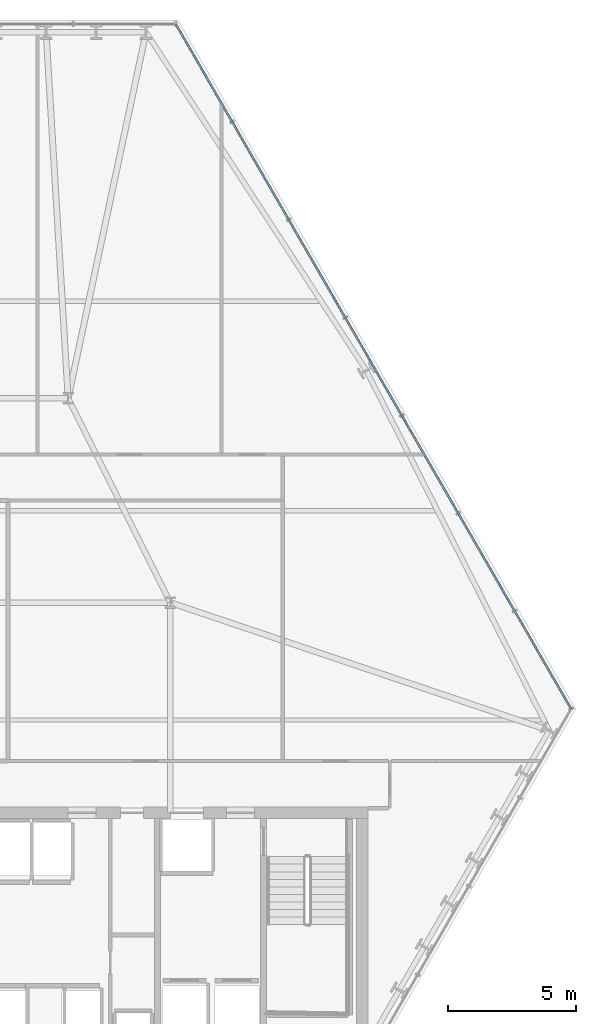
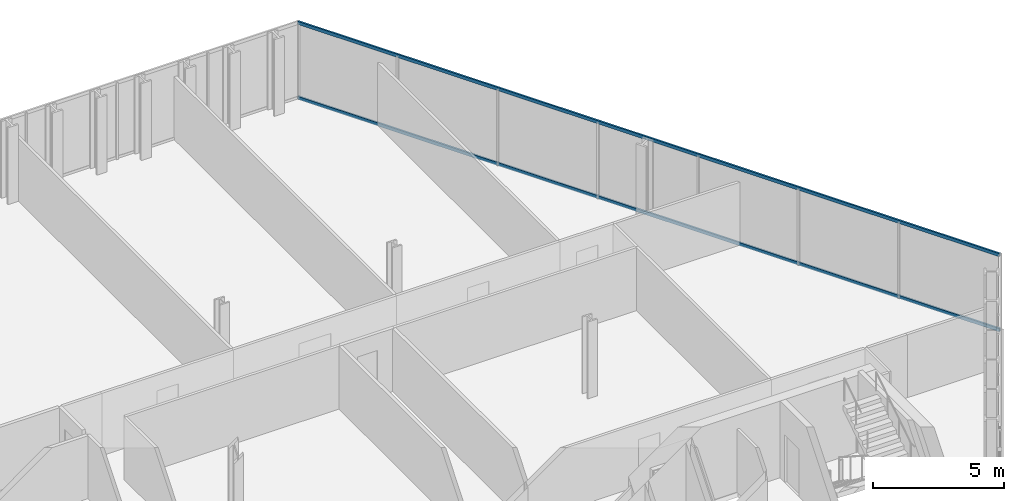
# One storey, part 18 of 32: 2 members, 1 element without a shape of its own.
"""IFC4 building model written with IfcOpenShell, lengths in metres."""

import ifcopenshell
import ifcopenshell.guid

model = None  # the IFC model being written
_history = None  # IfcOwnerHistory: only IFC2X3 demands one
_inside = {}  # id of a spatial element -> (the spatial element, [elements in it])
_under = {}  # id of a project, library or spatial element -> (it, [spatial elements below it])
_declared = {}  # id of a project -> (the project, [libraries it declares])
_typed = {}  # id of a type object -> (the type object, [elements of that type])
_made_of = {}  # id of a material, layer set ... -> (it, [elements and type objects made of it])


def new_model(schema):
    """Start an empty IFC model of exactly this schema.

    Asked for "IFC4X3", IfcOpenShell would pick the latest addendum, in which some entities
    have other attributes; the version numbers below select the first issue.
    IFC2X3 requires an IfcOwnerHistory on every rooted entity: one is made here for all.
    """
    global model, _history
    if schema == "IFC4X3":
        model = ifcopenshell.file(schema_version=(4, 3, 0, 0))
    else:
        model = ifcopenshell.file(schema=schema)
    _inside.clear()
    _under.clear()
    _declared.clear()
    _typed.clear()
    _made_of.clear()
    _history = None
    if model.schema == "IFC2X3":
        org = make("IfcOrganization", Name="unknown")
        user = make(
            "IfcPersonAndOrganization",
            ThePerson=make("IfcPerson", FamilyName="unknown"),
            TheOrganization=org,
        )
        app = make(
            "IfcApplication",
            ApplicationDeveloper=org,
            Version="unknown",
            ApplicationFullName="unknown",
            ApplicationIdentifier="unknown",
        )
        _history = make(
            "IfcOwnerHistory",
            OwningUser=user,
            OwningApplication=app,
            ChangeAction="ADDED",
            CreationDate=0,
        )
    return model


def make(cls, **values):
    """One entity of the class cls with the attributes given. An attribute that is None is left unset."""
    return model.create_entity(
        cls, **{name: value for name, value in values.items() if value is not None}
    )


def rooted(cls, **values):
    """An entity with a GlobalId (a new one), such as an element, a storey or a relation."""
    return make(cls, GlobalId=ifcopenshell.guid.new(), OwnerHistory=_history, **values)


def si_unit(unit_type, name, prefix=None):
    """IfcSIUnit, for example si_unit("LENGTHUNIT", "METRE", prefix="MILLI")."""
    return make("IfcSIUnit", UnitType=unit_type, Prefix=prefix, Name=name)


def assignment(units):
    """IfcUnitAssignment: the units of a project."""
    return None if units is None else make("IfcUnitAssignment", Units=units)


def point(xyz):
    """IfcCartesianPoint."""
    return None if xyz is None else make("IfcCartesianPoint", Coordinates=xyz)


def direction(xyz):
    """IfcDirection."""
    return None if xyz is None else make("IfcDirection", DirectionRatios=xyz)


def frame(location, z_axis=None, x_axis=None):
    """IfcAxis2Placement3D, a coordinate frame: its origin and axes. An axis left out is left unset."""
    return make(
        "IfcAxis2Placement3D",
        Location=point(location),
        Axis=direction(z_axis),
        RefDirection=direction(x_axis),
    )


def frame_2d(location, x_axis=None):
    """IfcAxis2Placement2D, a coordinate frame in the plane: its origin and x axis."""
    return make(
        "IfcAxis2Placement2D", Location=point(location), RefDirection=direction(x_axis)
    )


def origin():
    """The frame at (0, 0, 0) with its axes left unset."""
    return frame((0.0, 0.0, 0.0))


def origin_2d():
    """The frame at (0, 0) in the plane with its x axis left unset."""
    return frame_2d((0.0, 0.0))


def place(relative_to, where):
    """IfcLocalPlacement: puts the frame where relative to a parent placement (None: the world)."""
    return make(
        "IfcLocalPlacement", PlacementRelTo=relative_to, RelativePlacement=where
    )


def context(
    kind, dimensions, precision=None, world=None, true_north=None, identifier=None
):
    """IfcGeometricRepresentationContext, for example the 3D "Model" context."""
    return make(
        "IfcGeometricRepresentationContext",
        ContextIdentifier=identifier,
        ContextType=kind,
        CoordinateSpaceDimension=dimensions,
        Precision=precision,
        WorldCoordinateSystem=world,
        TrueNorth=true_north,
    )


def subcontext(parent, identifier, kind, view, scale=None):
    """IfcGeometricRepresentationSubContext, for example "Body" below "Model"."""
    return make(
        "IfcGeometricRepresentationSubContext",
        ContextIdentifier=identifier,
        ContextType=kind,
        ParentContext=parent,
        TargetScale=scale,
        TargetView=view,
    )


def project(units=None, contexts=None):
    """IfcProject with its units and contexts."""
    return rooted(
        "IfcProject",
        Name="project",
        RepresentationContexts=contexts,
        UnitsInContext=assignment(units),
    )


def spatial(cls, under=None, at=None, **own):
    """A site, building, storey or space (cls), placed at a placement, below another one or the project."""
    s = rooted(cls, ObjectPlacement=at, **own)
    if under is not None:
        _under.setdefault(under.id(), (under, []))[1].append(s)
    return s


def profile(cls, at=None, kind="AREA", **sizes):
    """A parametric profile (cls). Its sizes go by their IFC names, for example OverallWidth=200.0."""
    return make(cls, ProfileType=kind, Position=at, **sizes)


def hollow_rectangle(**sizes):
    """IfcRectangleHollowProfileDef."""
    return profile("IfcRectangleHollowProfileDef", **sizes)


def extrude(swept, where, along, depth):
    """IfcExtrudedAreaSolid: the profile swept, set in the frame where, extruded along a direction by depth."""
    return make(
        "IfcExtrudedAreaSolid",
        SweptArea=swept,
        Position=where,
        ExtrudedDirection=direction(along),
        Depth=depth,
    )


def shape(context_of_items, identifier, shape_type, items):
    """IfcShapeRepresentation: the items that make up one representation, for example the "Body"."""
    return make(
        "IfcShapeRepresentation",
        ContextOfItems=context_of_items,
        RepresentationIdentifier=identifier,
        RepresentationType=shape_type,
        Items=items,
    )


def material(Name=None, Category=None):
    """IfcMaterial."""
    return make("IfcMaterial", Name=Name, Category=Category)


def layer(
    of_material, thickness, ventilated=None, Name=None, Category=None, Priority=None
):
    """IfcMaterialLayer: one layer of a wall or slab, of a material (None: an air gap)."""
    return make(
        "IfcMaterialLayer",
        Material=of_material,
        LayerThickness=thickness,
        IsVentilated=ventilated,
        Name=Name,
        Category=Category,
        Priority=Priority,
    )


def layer_set(layers, Name=None):
    """IfcMaterialLayerSet."""
    return make("IfcMaterialLayerSet", MaterialLayers=layers, LayerSetName=Name)


def material_profile(
    of_material, cross_section, Name=None, Category=None, Priority=None
):
    """IfcMaterialProfile: a cross section and its material."""
    return make(
        "IfcMaterialProfile",
        Name=Name,
        Material=of_material,
        Profile=cross_section,
        Priority=Priority,
        Category=Category,
    )


def profile_set(profiles, Name=None, composite=None):
    """IfcMaterialProfileSet."""
    return make(
        "IfcMaterialProfileSet",
        Name=Name,
        MaterialProfiles=profiles,
        CompositeProfile=composite,
    )


def made_of(thing, what):
    """Note that an element or type object is made of a material, layer set ...; save() writes the relation."""
    if what is not None:
        _made_of.setdefault(what.id(), (what, []))[1].append(thing)
    return thing


def type_object(cls, material=None, **own):
    """A type object (cls), such as IfcWallType, which elements share."""
    return made_of(rooted(cls, **own), material)


def element(
    cls,
    number,
    at=None,
    inside=None,
    cuts=None,
    type_object=None,
    material=None,
    context=None,
    identifier="Body",
    shape_type=None,
    held_by="IfcProductDefinitionShape",
    body=None,
    shapes=None,
    **own,
):
    """One element of the class cls, such as IfcWall. Its Tag is "e" and its number.

    at: its placement. inside: the storey or other place that contains it. cuts: it is an
    opening in that element (IfcRelVoidsElement). A single representation is given by context,
    identifier, shape_type and body (its items); several are given by shapes. held_by: the class
    of the entity that holds the representations. save() writes the other relations.
    """
    e = rooted(cls, Tag="e%d" % number, ObjectPlacement=at, **own)
    if body is not None:
        shapes = [shape(context, identifier, shape_type, body)]
    if shapes is not None:
        e.Representation = make(held_by, Representations=shapes)
    if inside is not None:
        _inside.setdefault(inside.id(), (inside, []))[1].append(e)
    if cuts is not None:
        rooted(
            "IfcRelVoidsElement", RelatingBuildingElement=cuts, RelatedOpeningElement=e
        )
    if type_object is not None:
        _typed.setdefault(type_object.id(), (type_object, []))[1].append(e)
    return made_of(e, material)


def aggregate(whole, parts):
    """IfcRelAggregates: a whole, such as a stair, and the parts it consists of."""
    return rooted("IfcRelAggregates", RelatingObject=whole, RelatedObjects=parts)


def save(model, path):
    """Write the relations noted so far, then the file.

    IfcRelAggregates (storeys below a building ...), IfcRelContainedInSpatialStructure (elements
    in a storey), IfcRelDefinesByType, IfcRelAssociatesMaterial and IfcRelDeclares: one each for
    every whole, place, type object, material and project.
    """
    for whole, parts in _under.values():
        aggregate(whole, parts)
    for where, things in _inside.values():
        rooted(
            "IfcRelContainedInSpatialStructure",
            RelatedElements=things,
            RelatingStructure=where,
        )
    for kind, things in _typed.values():
        rooted("IfcRelDefinesByType", RelatedObjects=things, RelatingType=kind)
    for what, things in _made_of.values():
        rooted("IfcRelAssociatesMaterial", RelatedObjects=things, RelatingMaterial=what)
    for by, libraries in _declared.values():
        rooted("IfcRelDeclares", RelatingContext=by, RelatedDefinitions=libraries)
    model.write(path)


model = new_model("IFC4")

# Units and contexts
model_context = context("Model", 3, precision=1e-05, world=origin(), true_north=direction((0.0, 1.0)))
body_context = subcontext(model_context, "Body", "Model", "MODEL_VIEW")
ifc_project = project(units=[si_unit("LENGTHUNIT", "METRE"), si_unit("AREAUNIT", "SQUARE_METRE"), si_unit("VOLUMEUNIT", "CUBIC_METRE"), si_unit("PLANEANGLEUNIT", "RADIAN"), si_unit("MASSUNIT", "GRAM", prefix="KILO")], contexts=[model_context])

# Site, building, storey
site_placement = place(None, origin())
site = spatial("IfcSite", under=ifc_project, at=site_placement, CompositionType="ELEMENT")
building_placement = place(site_placement, origin())
building = spatial("IfcBuilding", under=site, at=building_placement, Name="Ndaravel Arena Tower", CompositionType="ELEMENT")
storey_placement = place(building_placement, frame((0.0, 0.0, 51.199951171875)))
storey = spatial("IfcBuildingStorey", under=building, at=storey_placement, Name="L10", CompositionType="ELEMENT", Elevation=51.199951171875)

# Curtain wall, members
ifc_material_1 = material(Name="Aluminium", Category="aluminium")
ifc_layer = layer(ifc_material_1, 0.179931640625)
ifc_layer_set = layer_set([ifc_layer], Name="Aluminium")
curtain_wall_type = type_object("IfcCurtainWallType", Name="CW-SYS-03", PredefinedType="NOTDEFINED", material=ifc_layer_set)
curtain_wall_placement = place(storey_placement, origin())
curtain_wall = element("IfcCurtainWall", 1, at=curtain_wall_placement, inside=storey, type_object=curtain_wall_type, Name="L10 Faceted Crystal Curtain Wall CW-L10-E03", PredefinedType="NOTDEFINED")
ifc_material_2 = material(Name="Aluminium", Category="aluminium")
ifc_material_profile = material_profile(ifc_material_2, hollow_rectangle(XDim=0.074951171875, YDim=0.14990234375, WallThickness=0.00390625, at=origin_2d()), Name="CW TRANSOM 75x150x4")
ifc_profile_set = profile_set([ifc_material_profile], Name="Aluminium")
member_type = type_object("IfcMemberType", Name="MEM-CW-TRN150", PredefinedType="USERDEFINED", material=ifc_profile_set)
member_1_placement = place(storey_placement, frame((65.4931640625, 19.03955078125, 0.0400390625), z_axis=(-0.500004826597, 0.866022617129, 0.0), x_axis=(-0.866022617129, -0.500004826597, 0.0)))
member_1 = element("IfcMember", 2, at=member_1_placement, type_object=member_type, Name="CW-L10-E03 Transom 01", ObjectType="TRANSOM", PredefinedType="USERDEFINED", context=body_context, shape_type="SweptSolid", body=[
    extrude(hollow_rectangle(XDim=0.074951171875, YDim=0.14990234375, WallThickness=0.00390625, at=origin_2d()), origin(), (0.0, 0.0, 1.0), 30.959716796875),
])
member_2_placement = place(storey_placement, frame((65.4931640625, 19.03955078125, 3.5400390625), z_axis=(-0.500004826597, 0.866022617129, 0.0), x_axis=(-0.866022617129, -0.500004826597, 0.0)))
member_2 = element("IfcMember", 3, at=member_2_placement, type_object=member_type, Name="CW-L10-E03 Transom 02", ObjectType="TRANSOM", PredefinedType="USERDEFINED", context=body_context, shape_type="SweptSolid", body=[
    extrude(hollow_rectangle(XDim=0.074951171875, YDim=0.14990234375, WallThickness=0.00390625, at=origin_2d()), origin(), (0.0, 0.0, 1.0), 30.959716796875),
])
aggregate(curtain_wall, [member_1, member_2])

save(model, "model.ifc")
